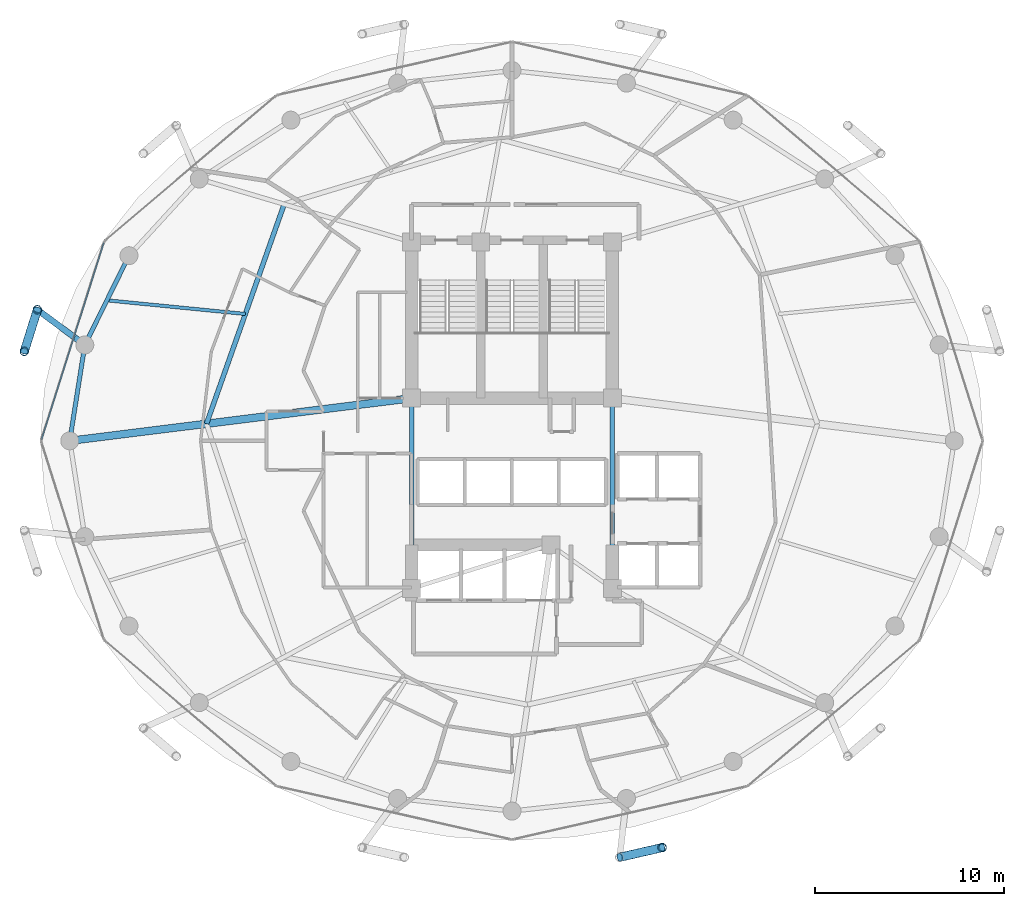
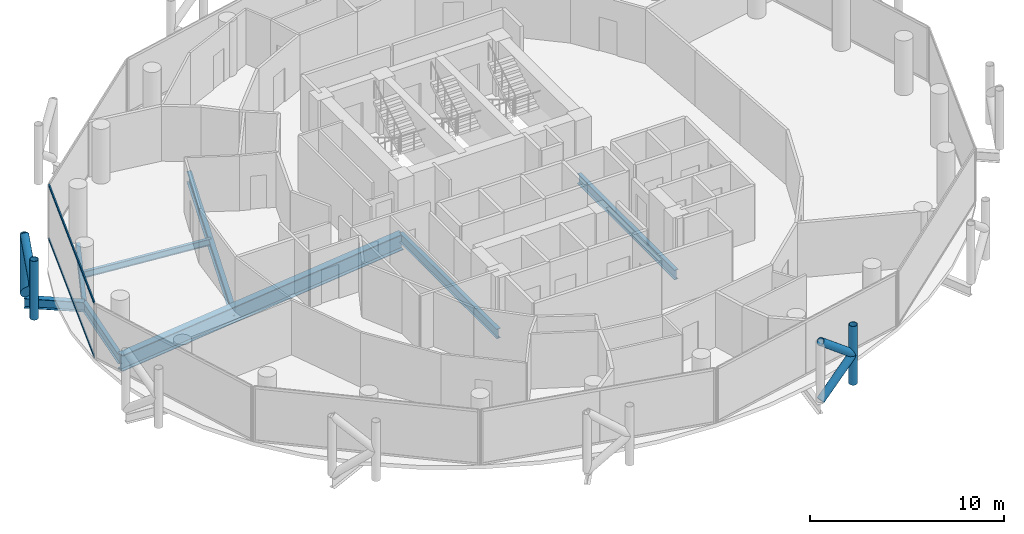
# One storey, part 7 of 26: 9 members, 8 beams, 1 element without a shape of its own.
"""IFC4 building model written with IfcOpenShell, lengths in metres."""

from ifc_helpers import new_model, si_unit, direction, frame, origin, origin_2d, place, context, subcontext, project, spatial, hollow_rectangle, hollow_circle, i_section, extrude, material, layer, layer_set, material_profile, profile_set, type_object, element, aggregate, save


model = new_model("IFC4")

# Units and contexts
model_context = context("Model", 3, precision=1e-05, world=origin(), true_north=direction((0.0, 1.0)))
body_context = subcontext(model_context, "Body", "Model", "MODEL_VIEW")
ifc_project = project(units=[si_unit("LENGTHUNIT", "METRE"), si_unit("AREAUNIT", "SQUARE_METRE"), si_unit("VOLUMEUNIT", "CUBIC_METRE"), si_unit("PLANEANGLEUNIT", "RADIAN"), si_unit("MASSUNIT", "GRAM", prefix="KILO")], contexts=[model_context])

# Site, building, storey
site_placement = place(None, origin())
site = spatial("IfcSite", under=ifc_project, at=site_placement, CompositionType="ELEMENT")
building_placement = place(site_placement, origin())
building = spatial("IfcBuilding", under=site, at=building_placement, Name="Nuhasar Tower", CompositionType="ELEMENT")
storey_placement = place(building_placement, frame((0.0, 0.0, 140.449951171875)))
storey = spatial("IfcBuildingStorey", under=building, at=storey_placement, Name="L33", CompositionType="ELEMENT", Elevation=140.449951171875)

# Beams
ifc_material_1 = material(Name="Steel S355", Category="steel")
ifc_material_profile_1 = material_profile(ifc_material_1, i_section(OverallWidth=0.25390625, OverallDepth=0.68408203125, WebThickness=0.012451171875, FlangeThickness=0.018798828125, at=origin_2d()), Name="W27X94")
ifc_profile_set_1 = profile_set([ifc_material_profile_1], Name="Steel S355")
beam_type_1 = type_object("IfcBeamType", Name="BM-INRING-W27X94", PredefinedType="BEAM", material=ifc_profile_set_1)
beam_1_placement = place(storey_placement, frame((26.972900390625, 39.2939453125, -0.592041015625), z_axis=(-0.333599821096, -0.942714781556, 0.0), x_axis=(0.942714781556, -0.333599821096, 0.0)))
element("IfcBeam", 1, at=beam_1_placement, inside=storey, type_object=beam_type_1, Name="L33 Inner Header Beam 07", PredefinedType="BEAM", context=body_context, shape_type="SweptSolid", body=[
    extrude(i_section(OverallWidth=0.25390625, OverallDepth=0.68408203125, WebThickness=0.012451171875, FlangeThickness=0.018798828125, at=origin_2d()), origin(), (0.0, 0.0, 1.0), 12.298583984375),
])
ifc_material_profile_2 = material_profile(ifc_material_1, i_section(OverallWidth=0.177978515625, OverallDepth=0.406005859375, WebThickness=0.0078125, FlangeThickness=0.0126953125, at=origin_2d()), Name="W16X40")
ifc_profile_set_2 = profile_set([ifc_material_profile_2], Name="Steel S355")
beam_type_2 = type_object("IfcBeamType", Name="BM-JST-W16X40", PredefinedType="JOIST", material=ifc_profile_set_2)
beam_2_placement = place(storey_placement, frame((24.922119140625, 33.4970703125, -0.452880859375), z_axis=(-0.995171845755, 0.098147834497, 0.0), x_axis=(-0.098147834497, -0.995171845755, 0.0)))
element("IfcBeam", 2, at=beam_2_placement, inside=storey, type_object=beam_type_2, Name="L33 Secondary Floor Joist 07", PredefinedType="JOIST", context=body_context, shape_type="SweptSolid", body=[
    extrude(i_section(OverallWidth=0.177978515625, OverallDepth=0.406005859375, WebThickness=0.0078125, FlangeThickness=0.0126953125, at=origin_2d()), origin(), (0.0, 0.0, 1.0), 7.345458984375),
])
ifc_material_profile_3 = material_profile(ifc_material_1, i_section(OverallWidth=0.22900390625, OverallDepth=0.612060546875, WebThickness=0.011962890625, FlangeThickness=0.01953125, at=origin_2d()), Name="W24X84")
ifc_profile_set_3 = profile_set([ifc_material_profile_3], Name="Steel S355")
beam_type_3 = type_object("IfcBeamType", Name="BM-RAD-W24X84", PredefinedType="BEAM", material=ifc_profile_set_3)
for number, where, z_axis, x_axis, name in (
    (3, (44.300048828125, 19.0, -0.555908203125), (0.0, 1.0, 0.0), (-1.0, 0.0, 0.0), "L33 Core Ring Girder 3"),
    (4, (33.699951171875, 29.050048828125, -0.555908203125), (0.0, -1.0, 0.0), (1.0, 0.0, 0.0), "L33 Core Ring Girder 8"),
):
    element("IfcBeam", number, at=place(storey_placement, frame(where, z_axis=z_axis, x_axis=x_axis)), inside=storey, type_object=beam_type_3, Name=name, PredefinedType="BEAM", context=body_context, shape_type="SweptSolid", body=[
        extrude(i_section(OverallWidth=0.22900390625, OverallDepth=0.612060546875, WebThickness=0.011962890625, FlangeThickness=0.01953125, at=origin_2d()), origin(), (0.0, 0.0, 1.0), 10.050048828125),
    ])
ifc_material_profile_4 = material_profile(ifc_material_1, i_section(OverallWidth=0.22998046875, OverallDepth=0.616943359375, WebThickness=0.01318359375, FlangeThickness=0.022216796875, at=origin_2d()), Name="W24X94")
ifc_profile_set_4 = profile_set([ifc_material_profile_4], Name="Steel S355")
beam_type_4 = type_object("IfcBeamType", Name="BM-RING-W24X94", PredefinedType="SPANDREL", material=ifc_profile_set_4)
beam_3_placement = place(storey_placement, frame((18.778076171875, 36.574951171875, -0.558837890625), z_axis=(-0.443347771709, -0.896349682501, 0.0), x_axis=(0.896349682501, -0.443347771709, 0.0)))
element("IfcBeam", 5, at=beam_3_placement, inside=storey, type_object=beam_type_4, Name="L33 Perimeter Ring Spandrel 11", PredefinedType="SPANDREL", context=body_context, shape_type="SweptSolid", body=[
    extrude(i_section(OverallWidth=0.22998046875, OverallDepth=0.616943359375, WebThickness=0.01318359375, FlangeThickness=0.022216796875, at=origin_2d()), origin(), (0.0, 0.0, 1.0), 5.260009765625),
])
beam_4_placement = place(storey_placement, frame((16.446044921875, 31.860107421875, -0.558837890625), z_axis=(-0.155426543608, -0.987847452566, 0.0), x_axis=(0.987847452566, -0.155426543608, 0.0)))
element("IfcBeam", 6, at=beam_4_placement, inside=storey, type_object=beam_type_4, Name="L33 Perimeter Ring Spandrel 12", PredefinedType="SPANDREL", context=body_context, shape_type="SweptSolid", body=[
    extrude(i_section(OverallWidth=0.22998046875, OverallDepth=0.616943359375, WebThickness=0.01318359375, FlangeThickness=0.022216796875, at=origin_2d()), origin(), (0.0, 0.0, 1.0), 5.122314453125),
])
ifc_material_profile_5 = material_profile(ifc_material_1, i_section(OverallWidth=0.323974609375, OverallDepth=0.611083984375, WebThickness=0.0126953125, FlangeThickness=0.01904296875, at=origin_2d()), Name="W24X104")
ifc_profile_set_5 = profile_set([ifc_material_profile_5], Name="Steel S355")
beam_type_5 = type_object("IfcBeamType", Name="BM-TIE-W24X104", PredefinedType="BEAM", material=ifc_profile_set_5)
beam_5_placement = place(storey_placement, frame((16.446044921875, 31.860107421875, -0.555908203125), z_axis=(-0.802872198291, 0.596151183183, 0.0), x_axis=(-0.596151183183, -0.802872198291, 0.0)))
element("IfcBeam", 7, at=beam_5_placement, inside=storey, type_object=beam_type_5, Name="L33 Exoskeleton Node Tie Beam 06", PredefinedType="BEAM", context=body_context, shape_type="SweptSolid", body=[
    extrude(i_section(OverallWidth=0.323974609375, OverallDepth=0.611083984375, WebThickness=0.0126953125, FlangeThickness=0.01904296875, at=origin_2d()), origin(), (0.0, 0.0, 1.0), 3.121337890625),
])
ifc_material_2 = material(Name="Steel S460", Category="steel")
ifc_material_profile_6 = material_profile(ifc_material_2, i_section(OverallWidth=0.40087890625, OverallDepth=1.010009765625, WebThickness=0.023681640625, FlangeThickness=0.0419921875, at=origin_2d()), Name="W40X297")
ifc_profile_set_6 = profile_set([ifc_material_profile_6], Name="Steel S460")
beam_type_6 = type_object("IfcBeamType", Name="BM-XFER-W40X297", PredefinedType="USERDEFINED", material=ifc_profile_set_6)
beam_6_placement = place(storey_placement, frame((33.699951171875, 29.050048828125, -0.7548828125), z_axis=(-0.992320149485, -0.123696082908, 0.0), x_axis=(0.123696082908, -0.992320149485, 0.0)))
element("IfcBeam", 8, at=beam_6_placement, inside=storey, type_object=beam_type_6, Name="L33 Radial Floor Girder 08", ObjectType="GIRDER", PredefinedType="USERDEFINED", context=body_context, shape_type="SweptSolid", body=[
    extrude(i_section(OverallWidth=0.40087890625, OverallDepth=1.010009765625, WebThickness=0.023681640625, FlangeThickness=0.0419921875, at=origin_2d()), origin(), (0.0, 0.0, 1.0), 18.189697265625),
])

# Curtain wall, members
ifc_material_3 = material(Name="Aluminium 6063-T6", Category="aluminium")
ifc_layer = layer(ifc_material_3, 0.199951171875)
ifc_layer_set = layer_set([ifc_layer], Name="Aluminium 6063-T6")
curtain_wall_type = type_object("IfcCurtainWallType", Name="CW-Z2-HTL", PredefinedType="NOTDEFINED", material=ifc_layer_set)
curtain_wall_placement = place(storey_placement, origin())
curtain_wall = element("IfcCurtainWall", 9, at=curtain_wall_placement, inside=storey, type_object=curtain_wall_type, Name="L33 Unitised Curtain Wall 06", PredefinedType="NOTDEFINED")
ifc_material_profile_7 = material_profile(ifc_material_3, hollow_rectangle(XDim=0.070068359375, YDim=0.159912109375, WallThickness=0.00439453125, at=origin_2d()), Name="CWT-3")
ifc_profile_set_7 = profile_set([ifc_material_profile_7], Name="Aluminium 6063-T6")
member_type_1 = type_object("IfcMemberType", Name="CW-TRN-S3", PredefinedType="USERDEFINED", material=ifc_profile_set_7)
member_1_placement = place(storey_placement, frame((17.449951171875, 37.26318359375, 0.03515625), z_axis=(-0.301608163352, -0.953431967053, 0.0), x_axis=(0.953431967053, -0.301608163352, 0.0)))
member_1 = element("IfcMember", 10, at=member_1_placement, type_object=member_type_1, Name="CW-Z2 transom 1.1", ObjectType="TRANSOM", PredefinedType="USERDEFINED", context=body_context, shape_type="SweptSolid", body=[
    extrude(hollow_rectangle(XDim=0.070068359375, YDim=0.159912109375, WallThickness=0.00439453125, at=origin_2d()), origin(), (0.0, 0.0, 1.0), 10.904296875),
])
member_2_placement = place(storey_placement, frame((17.449951171875, 37.26318359375, 3.4150390625), z_axis=(-0.301608163352, -0.953431967053, 0.0), x_axis=(0.953431967053, -0.301608163352, 0.0)))
member_2 = element("IfcMember", 11, at=member_2_placement, type_object=member_type_1, Name="CW-Z2 transom 1.2", ObjectType="TRANSOM", PredefinedType="USERDEFINED", context=body_context, shape_type="SweptSolid", body=[
    extrude(hollow_rectangle(XDim=0.070068359375, YDim=0.159912109375, WallThickness=0.00439453125, at=origin_2d()), origin(), (0.0, 0.0, 1.0), 10.904296875),
])
aggregate(curtain_wall, [member_1, member_2])

# Members
ifc_material_profile_8 = material_profile(ifc_material_2, hollow_circle(Radius=0.228515625, WallThickness=0.022216796875, at=origin_2d()), Name="HSS457X22.2")
ifc_profile_set_8 = profile_set([ifc_material_profile_8], Name="Steel S460")
member_type_2 = type_object("IfcMemberType", Name="EXO-BRONZE-457", PredefinedType="BRACE", material=ifc_profile_set_8)
for number, where, z_axis, x_axis, name in (
    (12, (13.93994140625, 33.720947265625, 0.0), (0.0, 0.0, 1.0), (1.0, 0.0, 0.0), "L33 Exoskeleton Chord Column EC-06A"),
    (13, (13.251953125, 31.52587890625, 0.0), (0.0, 0.0, 1.0), (1.0, 0.0, 0.0), "L33 Exoskeleton Chord Column EC-06B"),
    (14, (46.927978515625, 5.323974609375, 0.0), (0.0, 0.0, 1.0), (1.0, 0.0, 0.0), "L33 Exoskeleton Chord Column EC-10B"),
):
    element("IfcMember", number, at=place(storey_placement, frame(where, z_axis=z_axis, x_axis=x_axis)), inside=storey, type_object=member_type_2, Name=name, PredefinedType="BRACE", context=body_context, shape_type="SweptSolid", body=[
        extrude(hollow_circle(Radius=0.228515625, WallThickness=0.022216796875, at=origin_2d()), origin(), (0.0, 0.0, 1.0), 3.699951171875),
    ])
member_3_placement = place(storey_placement, frame((13.93994140625, 33.720947265625, 0.0), z_axis=(-0.233055548538, -0.743577869731, 0.626719285599), x_axis=(0.954228474306, -0.29907861646, 0.0)))
element("IfcMember", 15, at=member_3_placement, inside=storey, type_object=member_type_2, Name="L33 Bronze Diagrid Brace W1-06", PredefinedType="BRACE", context=body_context, shape_type="SweptSolid", body=[
    extrude(hollow_circle(Radius=0.228515625, WallThickness=0.022216796875, at=origin_2d()), origin(), (0.0, 0.0, 1.0), 2.9521484375),
])
for number, where, z_axis, x_axis, name in (
    (16, (13.251953125, 31.52587890625, 1.85009765625), (0.233067628236, 0.74361641074, 0.626669062861), (-0.954228474306, 0.29907861646, 0.0), "L33 Bronze Diagrid Brace W2-06"),
    (17, (44.68603515625, 4.81005859375, 0.0), (0.759510488094, 0.174101010284, 0.626763637022), (-0.223432882746, 0.974719316987, 0.0), "L33 Bronze Diagrid Brace W1-10"),
):
    element("IfcMember", number, at=place(storey_placement, frame(where, z_axis=z_axis, x_axis=x_axis)), inside=storey, type_object=member_type_2, Name=name, PredefinedType="BRACE", context=body_context, shape_type="SweptSolid", body=[
        extrude(hollow_circle(Radius=0.228515625, WallThickness=0.022216796875, at=origin_2d()), origin(), (0.0, 0.0, 1.0), 2.951904296875),
    ])
member_4_placement = place(storey_placement, frame((46.927978515625, 5.323974609375, 1.85009765625), z_axis=(-0.759549860492, -0.174110035537, 0.626713415327), x_axis=(0.223432882746, -0.974719316987, 0.0)))
element("IfcMember", 18, at=member_4_placement, inside=storey, type_object=member_type_2, Name="L33 Bronze Diagrid Brace W2-10", PredefinedType="BRACE", context=body_context, shape_type="SweptSolid", body=[
    extrude(hollow_circle(Radius=0.228515625, WallThickness=0.022216796875, at=origin_2d()), origin(), (0.0, 0.0, 1.0), 2.95166015625),
])

save(model, "model.ifc")
